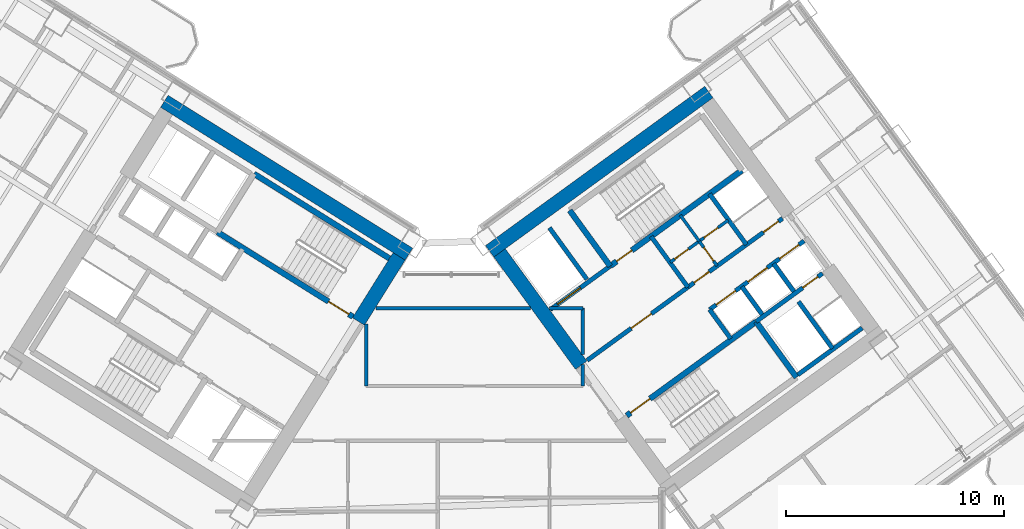
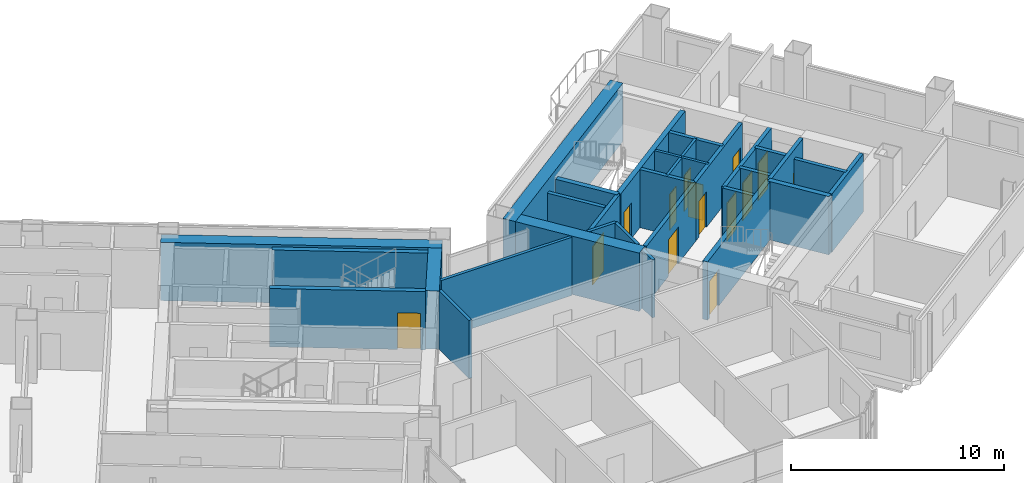
# One storey, part 18 of 28: 31 walls, 14 doors, 14 openings.
"""IFC4 building model written with IfcOpenShell, lengths in metres."""

from ifc_helpers import new_model, si_unit, direction, frame, frame_2d, origin, place, context, subcontext, project, spatial, rectangle, extrude, source, transform, mapped, material, layer, layer_set, type_object, element, fill, save


model = new_model("IFC4")

# Units and contexts
model_context = context("Model", 3, precision=1e-05, world=origin(), true_north=direction((0.0, 1.0)))
body_context = subcontext(model_context, "Body", "Model", "MODEL_VIEW")
ifc_project = project(units=[si_unit("LENGTHUNIT", "METRE"), si_unit("AREAUNIT", "SQUARE_METRE"), si_unit("VOLUMEUNIT", "CUBIC_METRE"), si_unit("PLANEANGLEUNIT", "RADIAN"), si_unit("MASSUNIT", "GRAM", prefix="KILO")], contexts=[model_context])

# Site, building, storey
site_placement = place(None, origin())
site = spatial("IfcSite", under=ifc_project, at=site_placement, CompositionType="ELEMENT")
building_placement = place(site_placement, origin())
building = spatial("IfcBuilding", under=site, at=building_placement, Name="Tlacorven Tower", CompositionType="ELEMENT")
storey_placement = place(building_placement, frame((0.0, 0.0, 34.800048828125)))
storey = spatial("IfcBuildingStorey", under=building, at=storey_placement, Name="L08", CompositionType="ELEMENT", Elevation=34.800048828125)

# Walls
ifc_material_1 = material(Name="Concrete C60/75", Category="concrete")
ifc_layer_1 = layer(ifc_material_1, 0.64990234375)
ifc_layer_set_1 = layer_set([ifc_layer_1], Name="Concrete C60/75")
wall_type_1 = type_object("IfcWallType", Name="WL-COR-650", PredefinedType="SHEAR", material=ifc_layer_set_1)
wall_1_placement = place(storey_placement, frame((40.615478515625, 23.9833984375, 0.0), z_axis=(0.0, 0.0, 1.0), x_axis=(-0.848045953968, 0.529922692436, 0.0)))
element("IfcWall", 1, at=wall_1_placement, inside=storey, type_object=wall_type_1, Name="L08 W core shear wall S1", PredefinedType="SHEAR", context=body_context, shape_type="SweptSolid", body=[
    extrude(rectangle(XDim=13.239990234375, YDim=0.64990234375, at=frame_2d((6.6201171875, 0.0))), origin(), (0.0, 0.0, 1.0), 3.349853515625),
])
wall_2_placement = place(storey_placement, frame((40.167724609375, 23.880126953125, 0.0), z_axis=(0.0, 0.0, 1.0), x_axis=(-0.529893103397, -0.8480644427, 0.0)))
element("IfcWall", 2, at=wall_2_placement, inside=storey, type_object=wall_type_1, Name="L08 W core end wall E1.1", PredefinedType="SHEAR", context=body_context, shape_type="SweptSolid", body=[
    extrude(rectangle(XDim=3.525146484375, YDim=0.64990234375, at=frame_2d((1.7626953125, 0.0))), origin(), (0.0, 0.0, 1.0), 3.349853515625),
])
wall_3_placement = place(storey_placement, frame((44.32470703125, 24.113037109375, 0.0), z_axis=(0.0, 0.0, 1.0), x_axis=(0.809012664862, 0.58779121131, 0.0)))
element("IfcWall", 3, at=wall_3_placement, inside=storey, type_object=wall_type_1, Name="L08 E core shear wall S2", PredefinedType="SHEAR", context=body_context, shape_type="SweptSolid", body=[
    extrude(rectangle(XDim=12.439697265625, YDim=0.64990234375, at=frame_2d((6.2197265625, 0.0))), origin(), (0.0, 0.0, 1.0), 3.349853515625),
])
wall_4_placement = place(storey_placement, frame((48.525634765625, 18.883544921875, 0.0), z_axis=(0.0, 0.0, 1.0), x_axis=(-0.58777996584, 0.809020835181, 0.0)))
element("IfcWall", 4, at=wall_4_placement, inside=storey, type_object=wall_type_1, Name="L08 E core end wall E1.2", PredefinedType="SHEAR", context=body_context, shape_type="SweptSolid", body=[
    extrude(rectangle(XDim=6.375, YDim=0.64990234375, at=frame_2d((3.1875, 0.0))), origin(), (0.0, 0.0, 1.0), 3.349853515625),
])
ifc_material_2 = material(Name="Gypsum plasterboard acoustic partition", Category="gypsum")
ifc_layer_2 = layer(ifc_material_2, 0.159912109375)
ifc_layer_set_2 = layer_set([ifc_layer_2], Name="Gypsum plasterboard acoustic partition")
wall_type_2 = type_object("IfcWallType", Name="WL-DEM-160", PredefinedType="PARTITIONING", material=ifc_layer_set_2)
wall_5_placement = place(storey_placement, frame((38.64990234375, 17.929931640625, 0.0), z_axis=(0.0, 0.0, 1.0), x_axis=(0.0, 1.0, 0.0)))
element("IfcWall", 5, at=wall_5_placement, inside=storey, type_object=wall_type_2, Name="L08 partition 73", PredefinedType="PARTITIONING", context=body_context, shape_type="SweptSolid", body=[
    extrude(rectangle(XDim=2.85693359375, YDim=0.159912109375, at=frame_2d((1.428466796875, 0.0))), origin(), (0.0, 0.0, 1.0), 3.33984375),
])
wall_6_placement = place(storey_placement, frame((48.60009765625, 17.929931640625, 0.0), z_axis=(0.0, 0.0, 1.0), x_axis=(0.0, 1.0, 0.0)))
element("IfcWall", 6, at=wall_6_placement, inside=storey, type_object=wall_type_2, Name="L08 partition 74", PredefinedType="PARTITIONING", context=body_context, shape_type="SweptSolid", body=[
    extrude(rectangle(XDim=0.99267578125, YDim=0.159912109375, at=frame_2d((0.496337890625, 0.0))), origin(), (0.0, 0.0, 1.0), 3.33984375),
])
wall_7_placement = place(storey_placement, frame((48.60009765625, 19.380126953125, 0.0), z_axis=(0.0, 0.0, 1.0), x_axis=(0.0, 1.0, 0.0)))
element("IfcWall", 7, at=wall_7_placement, inside=storey, type_object=wall_type_2, Name="L08 partition 74", PredefinedType="PARTITIONING", context=body_context, shape_type="SweptSolid", body=[
    extrude(rectangle(XDim=2.119873046875, YDim=0.159912109375, at=frame_2d((1.06005859375, 0.0))), origin(), (0.0, 0.0, 1.0), 3.33984375),
])
wall_8_placement = place(storey_placement, frame((39.095458984375, 21.5, 0.0), z_axis=(0.0, 0.0, 1.0), x_axis=(1.0, 0.0, 0.0)))
element("IfcWall", 8, at=wall_8_placement, inside=storey, type_object=wall_type_2, Name="L08 partition 75", PredefinedType="PARTITIONING", context=body_context, shape_type="SweptSolid", body=[
    extrude(rectangle(XDim=7.09423828125, YDim=0.159912109375, at=frame_2d((3.547119140625, 0.0))), origin(), (0.0, 0.0, 1.0), 3.33984375),
])
wall_9_placement = place(storey_placement, frame((47.059814453125, 21.5, 0.0), z_axis=(0.0, 0.0, 1.0), x_axis=(1.0, 0.0, 0.0)))
element("IfcWall", 9, at=wall_9_placement, inside=storey, type_object=wall_type_2, Name="L08 partition 75", PredefinedType="PARTITIONING", context=body_context, shape_type="SweptSolid", body=[
    extrude(rectangle(XDim=1.540283203125, YDim=0.159912109375, at=frame_2d((0.77001953125, 0.0))), origin(), (0.0, 0.0, 1.0), 3.33984375),
])

# Wall, opening, door
ifc_material_3 = material(Name="Moisture-resistant gypsum plumbing wall", Category="gypsum")
ifc_layer_3 = layer(ifc_material_3, 0.139892578125)
ifc_layer_set_3 = layer_set([ifc_layer_3], Name="Moisture-resistant gypsum plumbing wall")
wall_type_3 = type_object("IfcWallType", Name="WL-PLM-140", PredefinedType="PLUMBINGWALL", material=ifc_layer_set_3)
wall_10_placement = place(storey_placement, frame((54.767578125, 23.443359375, 0.0), z_axis=(0.0, 0.0, 1.0), x_axis=(-0.587736077749, 0.809052719489, 0.0)))
wall_10 = element("IfcWall", 10, at=wall_10_placement, inside=storey, type_object=wall_type_3, Name="L08 partition 46", PredefinedType="PLUMBINGWALL", context=body_context, shape_type="SweptSolid", body=[
    extrude(rectangle(XDim=1.39990234375, YDim=0.139892578125, at=frame_2d((0.699951171875, 0.0))), origin(), (0.0, 0.0, 1.0), 3.33984375),
])
opening_1_placement = place(wall_10_placement, frame((0.280029296875, 0.0, 0.0)))
opening_1 = element("IfcOpeningElement", 11, at=opening_1_placement, cuts=wall_10, Name="Opening D22", PredefinedType="OPENING", context=body_context, shape_type="SweptSolid", body=[
    extrude(rectangle(XDim=0.780029296875, YDim=2.050048828125, at=frame_2d((0.39013671875, 1.02490234375))), frame((0.0, 0.080078125, 0.0), z_axis=(0.0, -1.0, 0.0), x_axis=(1.0, 0.0, 0.0)), (0.0, 0.0, 1.0), 0.159912109375),
])
ifc_material_4 = material(Name="Powder-coated aluminium and timber door", Category="wood")
door_type_1 = type_object("IfcDoorType", Name="DR-INT-WET-0780", OperationType="NOTDEFINED", PredefinedType="DOOR", material=ifc_material_4)
shared_shape_1 = source(origin(), body_context, "Body", "SweptSolid", [
    extrude(rectangle(XDim=0.780029296875, YDim=2.050048828125, at=frame_2d((0.39013671875, 1.02490234375))), frame((0.0, 0.02490234375, 0.0), z_axis=(0.0, -1.0, 0.0), x_axis=(1.0, 0.0, 0.0)), (0.0, 0.0, 1.0), 0.050048828125),
])
door_1_placement = place(opening_1_placement, origin())
door_1 = element("IfcDoor", 12, at=door_1_placement, inside=storey, type_object=door_type_1, Name="L08 door 019", OperationType="SINGLE_SWING_RIGHT", OverallHeight=2.050048828125, OverallWidth=0.780029296875, PredefinedType="DOOR", context=body_context, shape_type="MappedRepresentation", body=[
    mapped(shared_shape_1, transform((0.0, 0.0, 0.0), scale=1.0)),
])
fill(opening_1, door_1)

# Wall
wall_11_placement = place(storey_placement, frame((53.94482421875, 24.575927734375, 0.0), z_axis=(0.0, 0.0, 1.0), x_axis=(-0.587897037186, 0.808935766095, 0.0)))
element("IfcWall", 13, at=wall_11_placement, inside=storey, type_object=wall_type_3, Name="L08 partition 47", PredefinedType="PLUMBINGWALL", context=body_context, shape_type="SweptSolid", body=[
    extrude(rectangle(XDim=1.47998046875, YDim=0.139892578125, at=frame_2d((0.739990234375, 0.0))), origin(), (0.0, 0.0, 1.0), 3.33984375),
])

# Wall, openings, doors
wall_12_placement = place(storey_placement, frame((52.617919921875, 23.612060546875, 0.0), z_axis=(0.0, 0.0, 1.0), x_axis=(0.809009587469, 0.587795446889, 0.0)))
wall_12 = element("IfcWall", 14, at=wall_12_placement, inside=storey, type_object=wall_type_3, Name="L08 partition 48", PredefinedType="PLUMBINGWALL", context=body_context, shape_type="SweptSolid", body=[
    extrude(rectangle(XDim=3.280029296875, YDim=0.139892578125, at=frame_2d((1.64013671875, 0.0))), origin(), (0.0, 0.0, 1.0), 3.33984375),
])
opening_2_placement = place(wall_12_placement, frame((0.25, 0.0, 0.0)))
opening_2 = element("IfcOpeningElement", 15, at=opening_2_placement, cuts=wall_12, Name="Opening D22", PredefinedType="OPENING", context=body_context, shape_type="SweptSolid", body=[
    extrude(rectangle(XDim=0.780029296875, YDim=2.050048828125, at=frame_2d((0.39013671875, 1.02490234375))), frame((0.0, 0.080078125, 0.0), z_axis=(0.0, -1.0, 0.0), x_axis=(1.0, 0.0, 0.0)), (0.0, 0.0, 1.0), 0.159912109375),
])
opening_3_placement = place(wall_12_placement, frame((1.919921875, 0.0, 0.0)))
opening_3 = element("IfcOpeningElement", 16, at=opening_3_placement, cuts=wall_12, Name="Opening D22", PredefinedType="OPENING", context=body_context, shape_type="SweptSolid", body=[
    extrude(rectangle(XDim=0.780029296875, YDim=2.050048828125, at=frame_2d((0.39013671875, 1.02490234375))), frame((0.0, 0.080078125, 0.0), z_axis=(0.0, -1.0, 0.0), x_axis=(1.0, 0.0, 0.0)), (0.0, 0.0, 1.0), 0.159912109375),
])
door_2_placement = place(opening_2_placement, origin())
door_2 = element("IfcDoor", 17, at=door_2_placement, inside=storey, type_object=door_type_1, Name="L08 door 020", OperationType="SINGLE_SWING_LEFT", OverallHeight=2.050048828125, OverallWidth=0.780029296875, PredefinedType="DOOR", context=body_context, shape_type="MappedRepresentation", body=[
    mapped(shared_shape_1, transform((0.0, 0.0, 0.0), scale=1.0)),
])
fill(opening_2, door_2)
door_3_placement = place(opening_3_placement, origin())
door_3 = element("IfcDoor", 18, at=door_3_placement, inside=storey, type_object=door_type_1, Name="L08 door 021", OperationType="SINGLE_SWING_RIGHT", OverallHeight=2.050048828125, OverallWidth=0.780029296875, PredefinedType="DOOR", context=body_context, shape_type="MappedRepresentation", body=[
    mapped(shared_shape_1, transform((0.0, 0.0, 0.0), scale=1.0)),
])
fill(opening_3, door_3)

# Wall, opening, door
ifc_material_5 = material(Name="Concrete C40/50", Category="concrete")
ifc_layer_4 = layer(ifc_material_5, 0.199951171875)
ifc_layer_set_4 = layer_set([ifc_layer_4], Name="Concrete C40/50")
wall_type_4 = type_object("IfcWallType", Name="WL-SHF-200", PredefinedType="STANDARD", material=ifc_layer_set_4)
wall_13_placement = place(storey_placement, frame((47.10595703125, 21.4365234375, 0.0), z_axis=(0.0, 0.0, 1.0), x_axis=(0.809012514015, 0.58779141893, 0.0)))
wall_13 = element("IfcWall", 19, at=wall_13_placement, inside=storey, type_object=wall_type_4, Name="L08 Core E Firefighting Lift Shaft Front Wall", PredefinedType="STANDARD", context=body_context, shape_type="SweptSolid", body=[
    extrude(rectangle(XDim=3.39794921875, YDim=0.199951171875, at=frame_2d((1.698974609375, 0.0))), origin(), (0.0, 0.0, 1.0), 3.33984375),
])
opening_4_placement = place(wall_13_placement, frame((0.407958984375, 0.0, 0.0)))
opening_4 = element("IfcOpeningElement", 20, at=opening_4_placement, cuts=wall_13, Name="Opening LD03", PredefinedType="OPENING", context=body_context, shape_type="SweptSolid", body=[
    extrude(rectangle(XDim=1.300048828125, YDim=2.199951171875, at=frame_2d((0.64990234375, 1.10009765625))), frame((0.0, 0.10986328125, 0.0), z_axis=(0.0, -1.0, 0.0), x_axis=(1.0, 0.0, 0.0)), (0.0, 0.0, 1.0), 0.219970703125),
])
ifc_material_6 = material(Name="Fire-rated steel door assembly", Category="steel")
door_type_2 = type_object("IfcDoorType", Name="DR-LFT-SLID-1300", OperationType="DOUBLE_DOOR_SLIDING", PredefinedType="DOOR", material=ifc_material_6)
shared_shape_2 = source(origin(), body_context, "Body", "SweptSolid", [
    extrude(rectangle(XDim=1.300048828125, YDim=2.199951171875, at=frame_2d((0.64990234375, 1.10009765625))), frame((0.0, 0.02490234375, 0.0), z_axis=(0.0, -1.0, 0.0), x_axis=(1.0, 0.0, 0.0)), (0.0, 0.0, 1.0), 0.050048828125),
])
door_4_placement = place(opening_4_placement, origin())
door_4 = element("IfcDoor", 21, at=door_4_placement, inside=storey, type_object=door_type_2, Name="L08 Lift FFL-E1 Sliding Landing Door", OperationType="DOUBLE_DOOR_SLIDING", OverallHeight=2.199951171875, OverallWidth=1.300048828125, PredefinedType="DOOR", context=body_context, shape_type="MappedRepresentation", body=[
    mapped(shared_shape_2, transform((0.0, 0.0, 0.0), scale=1.0)),
])
fill(opening_4, door_4)

wall_14_placement = place(storey_placement, frame((48.798828125, 19.106689453125, 0.0), z_axis=(0.0, 0.0, 1.0), x_axis=(0.809012959416, 0.587790805897, 0.0)))
wall_14 = element("IfcWall", 22, at=wall_14_placement, inside=storey, type_object=wall_type_4, Name="L08 Core E Smoke Lobby Wall", PredefinedType="STANDARD", context=body_context, shape_type="SweptSolid", body=[
    extrude(rectangle(XDim=5.7177734375, YDim=0.199951171875, at=frame_2d((2.85888671875, 0.0))), origin(), (0.0, 0.0, 1.0), 3.33984375),
])
opening_5_placement = place(wall_14_placement, frame((2.498046875, 0.0, 0.0)))
opening_5 = element("IfcOpeningElement", 23, at=opening_5_placement, cuts=wall_14, Name="Opening D09", PredefinedType="OPENING", context=body_context, shape_type="SweptSolid", body=[
    extrude(rectangle(XDim=1.14990234375, YDim=2.10009765625, at=frame_2d((0.574951171875, 1.050048828125))), frame((0.0, 0.10986328125, 0.0), z_axis=(0.0, -1.0, 0.0), x_axis=(1.0, 0.0, 0.0)), (0.0, 0.0, 1.0), 0.219970703125),
])
door_type_3 = type_object("IfcDoorType", Name="DR-FFL-FD60-1150", OperationType="NOTDEFINED", PredefinedType="DOOR", material=ifc_material_6)
shared_shape_3 = source(origin(), body_context, "Body", "SweptSolid", [
    extrude(rectangle(XDim=1.14990234375, YDim=2.10009765625, at=frame_2d((0.574951171875, 1.050048828125))), frame((0.0, 0.02490234375, 0.0), z_axis=(0.0, -1.0, 0.0), x_axis=(1.0, 0.0, 0.0)), (0.0, 0.0, 1.0), 0.050048828125),
])
door_5_placement = place(opening_5_placement, origin())
door_5 = element("IfcDoor", 24, at=door_5_placement, inside=storey, type_object=door_type_3, Name="L08 Firefighting Lobby E Fire Door", OperationType="SINGLE_SWING_RIGHT", OverallHeight=2.10009765625, OverallWidth=1.14990234375, PredefinedType="DOOR", context=body_context, shape_type="MappedRepresentation", body=[
    mapped(shared_shape_3, transform((0.0, 0.0, 0.0), scale=1.0)),
])
fill(opening_5, door_5)

wall_15_placement = place(storey_placement, frame((56.552978515625, 20.884033203125, 0.0), z_axis=(0.0, 0.0, 1.0), x_axis=(0.809035789462, 0.587759382205, 0.0)))
wall_15 = element("IfcWall", 25, at=wall_15_placement, inside=storey, type_object=wall_type_4, Name="L08 Core E South Lift Shaft Wall", PredefinedType="STANDARD", context=body_context, shape_type="SweptSolid", body=[
    extrude(rectangle(XDim=3.767822265625, YDim=0.199951171875, at=frame_2d((1.8837890625, 0.0))), origin(), (0.0, 0.0, 1.0), 3.33984375),
])
opening_6_placement = place(wall_15_placement, frame((2.64990234375, 0.0, 0.0)))
opening_6 = element("IfcOpeningElement", 26, at=opening_6_placement, cuts=wall_15, Name="Opening D19", PredefinedType="OPENING", context=body_context, shape_type="SweptSolid", body=[
    extrude(rectangle(XDim=0.860107421875, YDim=2.050048828125, at=frame_2d((0.43017578125, 1.02490234375))), frame((0.0, 0.10986328125, 0.0), z_axis=(0.0, -1.0, 0.0), x_axis=(1.0, 0.0, 0.0)), (0.0, 0.0, 1.0), 0.219970703125),
])
door_type_4 = type_object("IfcDoorType", Name="DR-RSR-FD60-0860", OperationType="NOTDEFINED", PredefinedType="DOOR", material=ifc_material_6)
shared_shape_4 = source(origin(), body_context, "Body", "SweptSolid", [
    extrude(rectangle(XDim=0.860107421875, YDim=2.050048828125, at=frame_2d((0.43017578125, 1.02490234375))), frame((0.0, 0.02490234375, 0.0), z_axis=(0.0, -1.0, 0.0), x_axis=(1.0, 0.0, 0.0)), (0.0, 0.0, 1.0), 0.050048828125),
])
door_6_placement = place(opening_6_placement, origin())
door_6 = element("IfcDoor", 27, at=door_6_placement, inside=storey, type_object=door_type_4, Name="L08 Smoke Extract Riser Access Door", OperationType="SINGLE_SWING_LEFT", OverallHeight=2.050048828125, OverallWidth=0.860107421875, PredefinedType="DOOR", context=body_context, shape_type="MappedRepresentation", body=[
    mapped(shared_shape_4, transform((0.0, 0.0, 0.0), scale=1.0)),
])
fill(opening_6, door_6)

# Wall, openings, doors
wall_16_placement = place(storey_placement, frame((54.421142578125, 21.436279296875, 0.0), z_axis=(0.0, 0.0, 1.0), x_axis=(0.809013710463, 0.587789772183, 0.0)))
wall_16 = element("IfcWall", 28, at=wall_16_placement, inside=storey, type_object=wall_type_4, Name="L08 partition 34", PredefinedType="STANDARD", context=body_context, shape_type="SweptSolid", body=[
    extrude(rectangle(XDim=5.360107421875, YDim=0.199951171875, at=frame_2d((2.68017578125, 0.0))), origin(), (0.0, 0.0, 1.0), 3.33984375),
])
opening_7_placement = place(wall_16_placement, frame((0.3701171875, 0.0, 0.0)))
opening_7 = element("IfcOpeningElement", 29, at=opening_7_placement, cuts=wall_16, Name="Opening LD01", PredefinedType="OPENING", context=body_context, shape_type="SweptSolid", body=[
    extrude(rectangle(XDim=1.10009765625, YDim=2.14990234375, at=frame_2d((0.550048828125, 1.074951171875))), frame((0.0, 0.10986328125, 0.0), z_axis=(0.0, -1.0, 0.0), x_axis=(1.0, 0.0, 0.0)), (0.0, 0.0, 1.0), 0.219970703125),
])
opening_8_placement = place(wall_16_placement, frame((2.169921875, 0.0, 0.0)))
opening_8 = element("IfcOpeningElement", 30, at=opening_8_placement, cuts=wall_16, Name="Opening LD01", PredefinedType="OPENING", context=body_context, shape_type="SweptSolid", body=[
    extrude(rectangle(XDim=1.10009765625, YDim=2.14990234375, at=frame_2d((0.550048828125, 1.074951171875))), frame((0.0, 0.10986328125, 0.0), z_axis=(0.0, -1.0, 0.0), x_axis=(1.0, 0.0, 0.0)), (0.0, 0.0, 1.0), 0.219970703125),
])
opening_9_placement = place(wall_16_placement, frame((3.969970703125, 0.0, 0.0)))
opening_9 = element("IfcOpeningElement", 31, at=opening_9_placement, cuts=wall_16, Name="Opening LD01", PredefinedType="OPENING", context=body_context, shape_type="SweptSolid", body=[
    extrude(rectangle(XDim=1.10009765625, YDim=2.14990234375, at=frame_2d((0.550048828125, 1.074951171875))), frame((0.0, 0.10986328125, 0.0), z_axis=(0.0, -1.0, 0.0), x_axis=(1.0, 0.0, 0.0)), (0.0, 0.0, 1.0), 0.219970703125),
])
door_type_5 = type_object("IfcDoorType", Name="DR-LFT-SLID-1100", OperationType="DOUBLE_DOOR_SLIDING", PredefinedType="DOOR", material=ifc_material_6)
shared_shape_5 = source(origin(), body_context, "Body", "SweptSolid", [
    extrude(rectangle(XDim=1.10009765625, YDim=2.14990234375, at=frame_2d((0.550048828125, 1.074951171875))), frame((0.0, 0.02490234375, 0.0), z_axis=(0.0, -1.0, 0.0), x_axis=(1.0, 0.0, 0.0)), (0.0, 0.0, 1.0), 0.050048828125),
])
door_7_placement = place(opening_7_placement, origin())
door_7 = element("IfcDoor", 32, at=door_7_placement, inside=storey, type_object=door_type_5, Name="L08 Lift PL-L1 Sliding Landing Door", OperationType="DOUBLE_DOOR_SLIDING", OverallHeight=2.14990234375, OverallWidth=1.10009765625, PredefinedType="DOOR", context=body_context, shape_type="MappedRepresentation", body=[
    mapped(shared_shape_5, transform((0.0, 0.0, 0.0), scale=1.0)),
])
fill(opening_7, door_7)
door_8_placement = place(opening_8_placement, origin())
door_8 = element("IfcDoor", 33, at=door_8_placement, inside=storey, type_object=door_type_5, Name="L08 Lift PL-L2 Sliding Landing Door", OperationType="DOUBLE_DOOR_SLIDING", OverallHeight=2.14990234375, OverallWidth=1.10009765625, PredefinedType="DOOR", context=body_context, shape_type="MappedRepresentation", body=[
    mapped(shared_shape_5, transform((0.0, 0.0, 0.0), scale=1.0)),
])
fill(opening_8, door_8)
door_9_placement = place(opening_9_placement, origin())
door_9 = element("IfcDoor", 34, at=door_9_placement, inside=storey, type_object=door_type_5, Name="L08 Lift PL-L3 Sliding Landing Door", OperationType="DOUBLE_DOOR_SLIDING", OverallHeight=2.14990234375, OverallWidth=1.10009765625, PredefinedType="DOOR", context=body_context, shape_type="MappedRepresentation", body=[
    mapped(shared_shape_5, transform((0.0, 0.0, 0.0), scale=1.0)),
])
fill(opening_9, door_9)

# Walls
wall_17_placement = place(storey_placement, frame((55.390869140625, 20.1015625, 0.0), z_axis=(0.0, 0.0, 1.0), x_axis=(-0.58778447739, 0.809017557374, 0.0)))
element("IfcWall", 35, at=wall_17_placement, inside=storey, type_object=wall_type_4, Name="L08 partition 35", PredefinedType="STANDARD", context=body_context, shape_type="SweptSolid", body=[
    extrude(rectangle(XDim=1.64990234375, YDim=0.199951171875, at=frame_2d((0.824951171875, 0.0))), origin(), (0.0, 0.0, 1.0), 3.33984375),
])
wall_18_placement = place(storey_placement, frame((48.78564453125, 22.830078125, 0.0), z_axis=(0.0, 0.0, 1.0), x_axis=(-0.587783856777, 0.809018008275, 0.0)))
element("IfcWall", 36, at=wall_18_placement, inside=storey, type_object=wall_type_4, Name="L08 partition 36", PredefinedType="STANDARD", context=body_context, shape_type="SweptSolid", body=[
    extrude(rectangle(XDim=2.919921875, YDim=0.199951171875, at=frame_2d((1.4599609375, 0.0))), origin(), (0.0, 0.0, 1.0), 3.33984375),
])
wall_19_placement = place(storey_placement, frame((56.833984375, 21.211669921875, 0.0), z_axis=(0.0, 0.0, 1.0), x_axis=(-0.58776738483, 0.809029975545, 0.0)))
element("IfcWall", 37, at=wall_19_placement, inside=storey, type_object=wall_type_4, Name="L08 partition 37", PredefinedType="STANDARD", context=body_context, shape_type="SweptSolid", body=[
    extrude(rectangle(XDim=1.580078125, YDim=0.199951171875, at=frame_2d((0.7900390625, 0.0))), origin(), (0.0, 0.0, 1.0), 3.33984375),
])
wall_20_placement = place(storey_placement, frame((58.290283203125, 22.269775390625, 0.0), z_axis=(0.0, 0.0, 1.0), x_axis=(-0.587840865826, 0.808976585857, 0.0)))
element("IfcWall", 38, at=wall_20_placement, inside=storey, type_object=wall_type_4, Name="L08 partition 38", PredefinedType="STANDARD", context=body_context, shape_type="SweptSolid", body=[
    extrude(rectangle(XDim=1.579833984375, YDim=0.199951171875, at=frame_2d((0.7900390625, 0.0))), origin(), (0.0, 0.0, 1.0), 3.33984375),
])
wall_21_placement = place(storey_placement, frame((60.066650390625, 19.654541015625, 0.0), z_axis=(0.0, 0.0, 1.0), x_axis=(-0.587800520745, 0.809005900975, 0.0)))
element("IfcWall", 39, at=wall_21_placement, inside=storey, type_object=wall_type_4, Name="L08 partition 39", PredefinedType="STANDARD", context=body_context, shape_type="SweptSolid", body=[
    extrude(rectangle(XDim=2.659912109375, YDim=0.199951171875, at=frame_2d((1.330078125, 0.0))), origin(), (0.0, 0.0, 1.0), 3.33984375),
])
wall_22_placement = place(storey_placement, frame((58.47216796875, 18.446533203125, 0.0), z_axis=(0.0, 0.0, 1.0), x_axis=(0.809022487728, 0.587777691266, 0.0)))
element("IfcWall", 40, at=wall_22_placement, inside=storey, type_object=wall_type_4, Name="L08 partition 41", PredefinedType="STANDARD", context=body_context, shape_type="SweptSolid", body=[
    extrude(rectangle(XDim=3.648193359375, YDim=0.199951171875, at=frame_2d((1.82421875, 0.0))), origin(), (0.0, 0.0, 1.0), 3.33984375),
])
wall_23_placement = place(storey_placement, frame((53.424560546875, 22.467529296875, 0.0), z_axis=(0.0, 0.0, 1.0), x_axis=(-0.5877230039, 0.809062216821, 0.0)))
element("IfcWall", 41, at=wall_23_placement, inside=storey, type_object=wall_type_4, Name="L08 partition 43", PredefinedType="STANDARD", context=body_context, shape_type="SweptSolid", body=[
    extrude(rectangle(XDim=2.8798828125, YDim=0.199951171875, at=frame_2d((1.43994140625, 0.0))), origin(), (0.0, 0.0, 1.0), 3.33984375),
])
wall_24_placement = place(storey_placement, frame((56.110595703125, 24.4189453125, 0.0), z_axis=(0.0, 0.0, 1.0), x_axis=(-0.58777848983, 0.809021907548, 0.0)))
element("IfcWall", 42, at=wall_24_placement, inside=storey, type_object=wall_type_4, Name="L08 partition 44", PredefinedType="STANDARD", context=body_context, shape_type="SweptSolid", body=[
    extrude(rectangle(XDim=2.880126953125, YDim=0.199951171875, at=frame_2d((1.43994140625, 0.0))), origin(), (0.0, 0.0, 1.0), 3.33984375),
])

# Wall, openings, doors
wall_25_placement = place(storey_placement, frame((53.424560546875, 22.467529296875, 0.0), z_axis=(0.0, 0.0, 1.0), x_axis=(0.80902705128, 0.587771409902, 0.0)))
wall_25 = element("IfcWall", 43, at=wall_25_placement, inside=storey, type_object=wall_type_4, Name="L08 Core E North Service Wall", PredefinedType="STANDARD", context=body_context, shape_type="SweptSolid", body=[
    extrude(rectangle(XDim=5.3681640625, YDim=0.199951171875, at=frame_2d((2.68408203125, 0.0))), origin(), (0.0, 0.0, 1.0), 3.33984375),
])
opening_10_placement = place(wall_25_placement, frame((4.280029296875, 0.0, 0.0)))
opening_10 = element("IfcOpeningElement", 44, at=opening_10_placement, cuts=wall_25, Name="Opening D19", PredefinedType="OPENING", context=body_context, shape_type="SweptSolid", body=[
    extrude(rectangle(XDim=0.860107421875, YDim=2.050048828125, at=frame_2d((0.43017578125, 1.02490234375))), frame((0.0, 0.10986328125, 0.0), z_axis=(0.0, -1.0, 0.0), x_axis=(1.0, 0.0, 0.0)), (0.0, 0.0, 1.0), 0.219970703125),
])
opening_11_placement = place(wall_25_placement, frame((0.35009765625, 0.0, 0.0)))
opening_11 = element("IfcOpeningElement", 45, at=opening_11_placement, cuts=wall_25, Name="Opening D19", PredefinedType="OPENING", context=body_context, shape_type="SweptSolid", body=[
    extrude(rectangle(XDim=0.860107421875, YDim=2.050048828125, at=frame_2d((0.43017578125, 1.02490234375))), frame((0.0, 0.10986328125, 0.0), z_axis=(0.0, -1.0, 0.0), x_axis=(1.0, 0.0, 0.0)), (0.0, 0.0, 1.0), 0.219970703125),
])
door_10_placement = place(opening_10_placement, frame((0.860107421875, 0.0, 0.0), z_axis=(0.0, 0.0, 1.0), x_axis=(-1.0, 0.0, 0.0)))
door_10 = element("IfcDoor", 46, at=door_10_placement, inside=storey, type_object=door_type_4, Name="L08 Electrical Riser Access Door E", OperationType="SINGLE_SWING_RIGHT", OverallHeight=2.050048828125, OverallWidth=0.860107421875, PredefinedType="DOOR", context=body_context, shape_type="MappedRepresentation", body=[
    mapped(shared_shape_4, transform((0.0, 0.0, 0.0), scale=1.0)),
])
fill(opening_10, door_10)
door_11_placement = place(opening_11_placement, frame((0.860107421875, 0.0, 0.0), z_axis=(0.0, 0.0, 1.0), x_axis=(-1.0, 0.0, 0.0)))
door_11 = element("IfcDoor", 47, at=door_11_placement, inside=storey, type_object=door_type_4, Name="L08 Cleaning Room Access Door E", OperationType="SINGLE_SWING_LEFT", OverallHeight=2.050048828125, OverallWidth=0.860107421875, PredefinedType="DOOR", context=body_context, shape_type="MappedRepresentation", body=[
    mapped(shared_shape_4, transform((0.0, 0.0, 0.0), scale=1.0)),
])
fill(opening_11, door_11)

# Wall
ifc_material_7 = material(Name="Concrete C50/60", Category="concrete")
ifc_layer_5 = layer(ifc_material_7, 0.260009765625)
ifc_layer_set_5 = layer_set([ifc_layer_5], Name="Concrete C50/60")
wall_type_5 = type_object("IfcWallType", Name="WL-STW-260", PredefinedType="SHEAR", material=ifc_layer_set_5)
wall_26_placement = place(storey_placement, frame((39.720947265625, 23.787841796875, 0.0), z_axis=(0.0, 0.0, 1.0), x_axis=(-0.848054434086, 0.529909121291, 0.0)))
element("IfcWall", 48, at=wall_26_placement, inside=storey, type_object=wall_type_5, Name="L08 Stair W2 Far Shear Wall", PredefinedType="SHEAR", context=body_context, shape_type="SweptSolid", body=[
    extrude(rectangle(XDim=7.330078125, YDim=0.260009765625, at=frame_2d((3.6650390625, 0.0))), origin(), (0.0, 0.0, 1.0), 3.349853515625),
])

# Wall, opening, door
wall_27_placement = place(storey_placement, frame((38.04638671875, 21.10791015625, 0.0), z_axis=(0.0, 0.0, 1.0), x_axis=(-0.848054434086, 0.529909121291, 0.0)))
wall_27 = element("IfcWall", 49, at=wall_27_placement, inside=storey, type_object=wall_type_5, Name="L08 Stair W2 Lobby Shear Wall", PredefinedType="SHEAR", context=body_context, shape_type="SweptSolid", body=[
    extrude(rectangle(XDim=7.330078125, YDim=0.260009765625, at=frame_2d((3.6650390625, 0.0))), origin(), (0.0, 0.0, 1.0), 3.349853515625),
])
opening_12_placement = place(wall_27_placement, frame((0.219970703125, 0.0, 0.0)))
opening_12 = element("IfcOpeningElement", 50, at=opening_12_placement, cuts=wall_27, Name="Opening D07", PredefinedType="OPENING", context=body_context, shape_type="SweptSolid", body=[
    extrude(rectangle(XDim=1.10009765625, YDim=2.10009765625, at=frame_2d((0.550048828125, 1.050048828125))), frame((0.0, 0.14013671875, 0.0), z_axis=(0.0, -1.0, 0.0), x_axis=(1.0, 0.0, 0.0)), (0.0, 0.0, 1.0), 0.280029296875),
])
door_type_6 = type_object("IfcDoorType", Name="DR-STR-FD90-1100", OperationType="NOTDEFINED", PredefinedType="DOOR", material=ifc_material_6)
shared_shape_6 = source(origin(), body_context, "Body", "SweptSolid", [
    extrude(rectangle(XDim=1.10009765625, YDim=2.10009765625, at=frame_2d((0.550048828125, 1.050048828125))), frame((0.0, 0.02490234375, 0.0), z_axis=(0.0, -1.0, 0.0), x_axis=(1.0, 0.0, 0.0)), (0.0, 0.0, 1.0), 0.050048828125),
])
door_12_placement = place(opening_12_placement, origin())
door_12 = element("IfcDoor", 51, at=door_12_placement, inside=storey, type_object=door_type_6, Name="L08 Exit Stair W2 Fire Door", OperationType="SINGLE_SWING_LEFT", OverallHeight=2.10009765625, OverallWidth=1.10009765625, PredefinedType="DOOR", context=body_context, shape_type="MappedRepresentation", body=[
    mapped(shared_shape_6, transform((0.0, 0.0, 0.0), scale=1.0)),
])
fill(opening_12, door_12)

wall_28_placement = place(storey_placement, frame((49.863037109375, 23.439697265625, 0.0), z_axis=(0.0, 0.0, 1.0), x_axis=(0.809003474932, 0.587803859759, 0.0)))
wall_28 = element("IfcWall", 52, at=wall_28_placement, inside=storey, type_object=wall_type_5, Name="L08 Stair E1 Lobby Shear Wall", PredefinedType="SHEAR", context=body_context, shape_type="SweptSolid", body=[
    extrude(rectangle(XDim=7.4599609375, YDim=0.260009765625, at=frame_2d((3.72998046875, 0.0))), origin(), (0.0, 0.0, 1.0), 3.349853515625),
])
opening_13_placement = place(wall_28_placement, frame((0.360107421875, 0.0, 0.0)))
opening_13 = element("IfcOpeningElement", 53, at=opening_13_placement, cuts=wall_28, Name="Opening D19", PredefinedType="OPENING", context=body_context, shape_type="SweptSolid", body=[
    extrude(rectangle(XDim=0.860107421875, YDim=2.050048828125, at=frame_2d((0.43017578125, 1.02490234375))), frame((0.0, 0.14013671875, 0.0), z_axis=(0.0, -1.0, 0.0), x_axis=(1.0, 0.0, 0.0)), (0.0, 0.0, 1.0), 0.280029296875),
])
door_13_placement = place(opening_13_placement, frame((0.860107421875, 0.0, 0.0), z_axis=(0.0, 0.0, 1.0), x_axis=(-1.0, 0.0, 0.0)))
door_13 = element("IfcDoor", 54, at=door_13_placement, inside=storey, type_object=door_type_4, Name="L08 Exit Stair E1 Fire Door", OperationType="SINGLE_SWING_LEFT", OverallHeight=2.050048828125, OverallWidth=0.860107421875, PredefinedType="DOOR", context=body_context, shape_type="MappedRepresentation", body=[
    mapped(shared_shape_4, transform((0.0, 0.0, 0.0), scale=1.0)),
])
fill(opening_13, door_13)

# Wall
wall_29_placement = place(storey_placement, frame((49.85498046875, 23.433837890625, 0.0), z_axis=(0.0, 0.0, 1.0), x_axis=(-0.58776738483, 0.809029975545, 0.0)))
element("IfcWall", 55, at=wall_29_placement, inside=storey, type_object=wall_type_5, Name="L08 Stair E1 West Shear Wall", PredefinedType="SHEAR", context=body_context, shape_type="SweptSolid", body=[
    extrude(rectangle(XDim=3.16015625, YDim=0.260009765625, at=frame_2d((1.580078125, 0.0))), origin(), (0.0, 0.0, 1.0), 3.349853515625),
])

# Wall, opening, door
wall_30_placement = place(storey_placement, frame((50.61474609375, 16.569580078125, 0.0), z_axis=(0.0, 0.0, 1.0), x_axis=(0.809028366311, 0.587769599847, 0.0)))
wall_30 = element("IfcWall", 56, at=wall_30_placement, inside=storey, type_object=wall_type_5, Name="L08 Stair E2 Lobby Shear Wall", PredefinedType="SHEAR", context=body_context, shape_type="SweptSolid", body=[
    extrude(rectangle(XDim=7.330078125, YDim=0.260009765625, at=frame_2d((3.6650390625, 0.0))), origin(), (0.0, 0.0, 1.0), 3.349853515625),
])
opening_14_placement = place(wall_30_placement, frame((0.219970703125, 0.0, 0.0)))
opening_14 = element("IfcOpeningElement", 57, at=opening_14_placement, cuts=wall_30, Name="Opening D07", PredefinedType="OPENING", context=body_context, shape_type="SweptSolid", body=[
    extrude(rectangle(XDim=1.10009765625, YDim=2.10009765625, at=frame_2d((0.550048828125, 1.050048828125))), frame((0.0, 0.14013671875, 0.0), z_axis=(0.0, -1.0, 0.0), x_axis=(1.0, 0.0, 0.0)), (0.0, 0.0, 1.0), 0.280029296875),
])
door_14_placement = place(opening_14_placement, origin())
door_14 = element("IfcDoor", 58, at=door_14_placement, inside=storey, type_object=door_type_6, Name="L08 Exit Stair E2 Fire Door", OperationType="SINGLE_SWING_LEFT", OverallHeight=2.10009765625, OverallWidth=1.10009765625, PredefinedType="DOOR", context=body_context, shape_type="MappedRepresentation", body=[
    mapped(shared_shape_6, transform((0.0, 0.0, 0.0), scale=1.0)),
])
fill(opening_14, door_14)

# Wall
wall_31_placement = place(storey_placement, frame((58.410400390625, 18.327392578125, 0.0), z_axis=(0.0, 0.0, 1.0), x_axis=(-0.58776738483, 0.809029975545, 0.0)))
element("IfcWall", 59, at=wall_31_placement, inside=storey, type_object=wall_type_5, Name="L08 Stair E2 East Shear Wall", PredefinedType="SHEAR", context=body_context, shape_type="SweptSolid", body=[
    extrude(rectangle(XDim=3.16015625, YDim=0.260009765625, at=frame_2d((1.580078125, 0.0))), origin(), (0.0, 0.0, 1.0), 3.349853515625),
])

save(model, "model.ifc")
